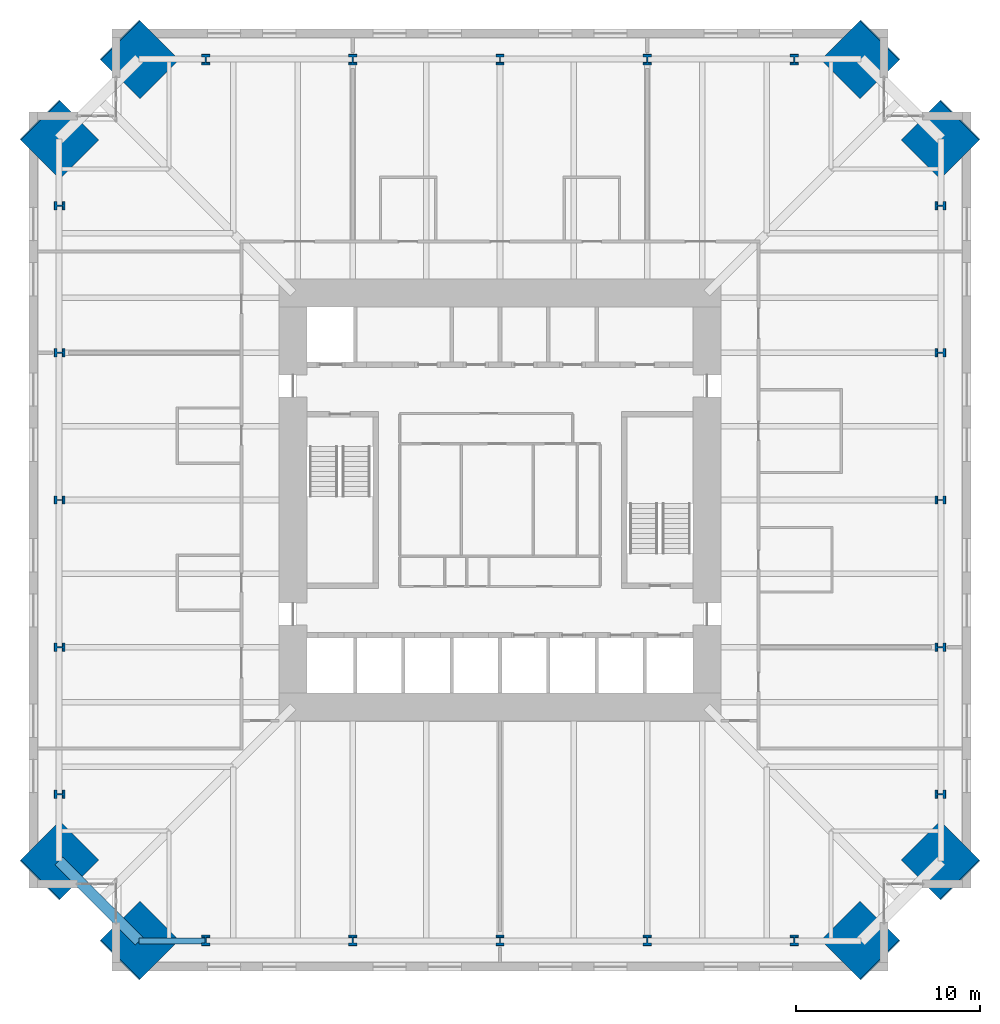
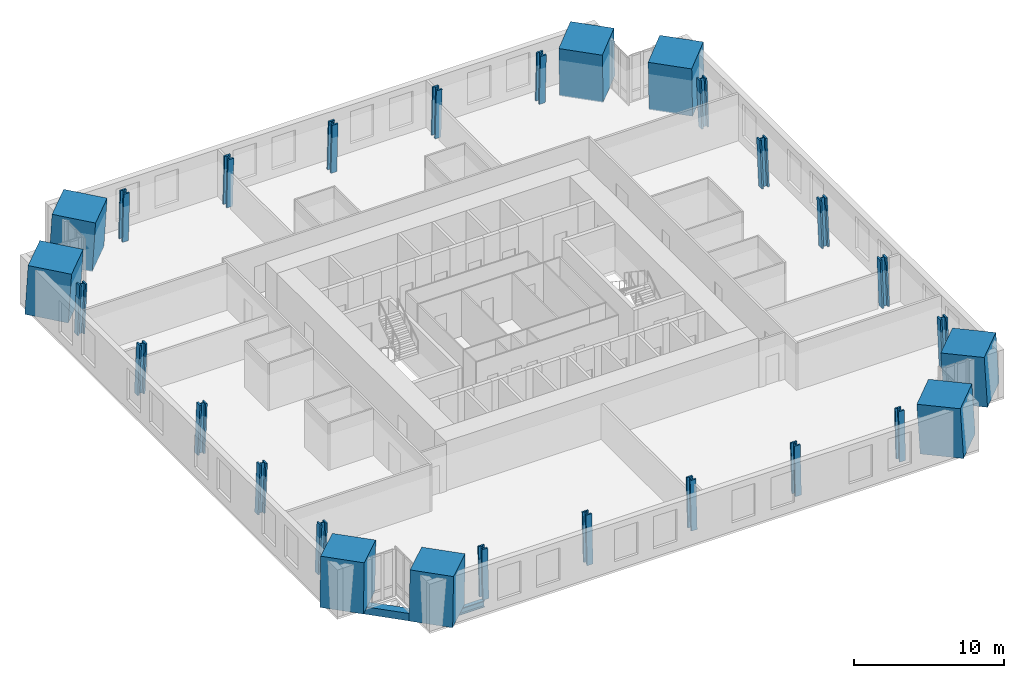
# One storey, part 1 of 18: 28 columns, 2 beams.
"""IFC4 building model written with IfcOpenShell, lengths in metres."""

from ifc_helpers import new_model, si_unit, direction, frame, origin, origin_2d, place, context, subcontext, project, spatial, rectangle, hollow_rectangle, i_section, extrude, material, material_profile, profile_set, type_object, element, save


model = new_model("IFC4")

# Units and contexts
model_context = context("Model", 3, precision=1e-05, world=origin(), true_north=direction((0.0, 1.0)))
body_context = subcontext(model_context, "Body", "Model", "MODEL_VIEW")
ifc_project = project(units=[si_unit("LENGTHUNIT", "METRE"), si_unit("AREAUNIT", "SQUARE_METRE"), si_unit("VOLUMEUNIT", "CUBIC_METRE"), si_unit("PLANEANGLEUNIT", "RADIAN"), si_unit("MASSUNIT", "GRAM", prefix="KILO")], contexts=[model_context])

# Site, building, storey
site_placement = place(None, origin())
site = spatial("IfcSite", under=ifc_project, at=site_placement, CompositionType="ELEMENT")
building_placement = place(site_placement, origin())
building = spatial("IfcBuilding", under=site, at=building_placement, Name="Peilmerk Tower", CompositionType="ELEMENT")
storey_placement = place(building_placement, frame((0.0, 0.0, 171.800048828125)))
storey = spatial("IfcBuildingStorey", under=building, at=storey_placement, Name="L36", CompositionType="ELEMENT", Elevation=171.800048828125)

# Columns
ifc_material_1 = material(Name="Concrete C90/105", Category="concrete")
ifc_material_profile_1 = material_profile(ifc_material_1, rectangle(XDim=3.0, YDim=3.0, at=origin_2d()), Name="RC 3000x3000")
ifc_profile_set_1 = profile_set([ifc_material_profile_1], Name="Concrete C90/105")
column_type_1 = type_object("IfcColumnType", Name="MC2 3000x3000 encased mega column", PredefinedType="COLUMN", material=ifc_profile_set_1)
for number, where, z_axis, x_axis, name in (
    (1, (19.619384765625, 23.96923828125, 0.0), (-0.040278830354, -0.040217894151, 0.998378754189), (0.706571297296, -0.707641859868, 0.0), "Mega column MC2 NE_N L36"),
    (2, (23.96923828125, 19.619384765625, 0.0), (-0.040217894151, -0.040278830354, 0.998378754189), (0.707641859868, -0.706571297296, 0.0), "Mega column MC2 NE_E L36"),
    (3, (23.96923828125, -19.619384765625, 0.0), (-0.040217894151, 0.040278830354, 0.998378754189), (-0.707641859868, -0.706571297296, 0.0), "Mega column MC2 SE_E L36"),
    (4, (19.619384765625, -23.96923828125, 0.0), (-0.040278830354, 0.040217894151, 0.998378754189), (-0.706571297296, -0.707641859868, 0.0), "Mega column MC2 SE_S L36"),
    (5, (-19.619384765625, -23.96923828125, 0.0), (0.040278830354, 0.040217894151, 0.998378754189), (-0.706571297296, 0.707641859868, 0.0), "Mega column MC2 SW_S L36"),
    (6, (-23.96923828125, -19.619384765625, 0.0), (0.040217894151, 0.040278830354, 0.998378754189), (-0.707641859868, 0.706571297296, 0.0), "Mega column MC2 SW_W L36"),
    (7, (-23.96923828125, 19.619384765625, 0.0), (0.040217894151, -0.040278830354, 0.998378754189), (0.707641859868, 0.706571297296, 0.0), "Mega column MC2 NW_W L36"),
    (8, (-19.619384765625, 23.96923828125, 0.0), (0.040278830354, -0.040217894151, 0.998378754189), (0.706571297296, 0.707641859868, 0.0), "Mega column MC2 NW_N L36"),
):
    element("IfcColumn", number, at=place(storey_placement, frame(where, z_axis=z_axis, x_axis=x_axis)), inside=storey, type_object=column_type_1, Name=name, PredefinedType="COLUMN", context=body_context, shape_type="SweptSolid", body=[
        extrude(rectangle(XDim=3.0, YDim=3.0, at=origin_2d()), origin(), (0.0, 0.0, 1.0), 4.006591796875),
    ])
ifc_material_2 = material(Name="Steel S460", Category="steel")
ifc_material_profile_2 = material_profile(ifc_material_2, i_section(OverallWidth=0.4541015625, OverallDepth=0.569091796875, WebThickness=0.077880859375, FlangeThickness=0.125, at=origin_2d()), Name="HD 400x1086")
ifc_profile_set_2 = profile_set([ifc_material_profile_2], Name="Steel S460")
column_type_2 = type_object("IfcColumnType", Name="SC6 HD 400x1086 interior column", PredefinedType="COLUMN", material=ifc_profile_set_2)
for number, where, z_axis, x_axis, name in (
    (9, (0.0, 23.96923828125, 0.0), (0.0, -0.040250558339, 0.999189617917), (1.0, 0.0, 0.0), "Perimeter column N+0 L36"),
    (10, (8.0, 23.96923828125, 0.0), (0.0, -0.040250558339, 0.999189617917), (1.0, 0.0, 0.0), "Perimeter column N-8 L36"),
    (11, (-8.0, 23.96923828125, 0.0), (0.0, -0.040250558339, 0.999189617917), (1.0, 0.0, 0.0), "Perimeter column N+8 L36"),
    (12, (16.0, 23.96923828125, 0.0), (0.0, -0.040250558339, 0.999189617917), (1.0, 0.0, 0.0), "Perimeter column N-16 L36"),
    (13, (-16.0, 23.96923828125, 0.0), (0.0, -0.040250558339, 0.999189617917), (1.0, 0.0, 0.0), "Perimeter column N+16 L36"),
    (14, (23.96923828125, 0.0, 0.0), (-0.040250558339, 0.0, 0.999189617917), (0.0, -1.0, 0.0), "Perimeter column E+0 L36"),
    (15, (23.96923828125, -8.0, 0.0), (-0.040250558339, 0.0, 0.999189617917), (0.0, -1.0, 0.0), "Perimeter column E-8 L36"),
    (16, (23.96923828125, 8.0, 0.0), (-0.040250558339, 0.0, 0.999189617917), (0.0, -1.0, 0.0), "Perimeter column E+8 L36"),
    (17, (23.96923828125, -16.0, 0.0), (-0.040250558339, 0.0, 0.999189617917), (0.0, -1.0, 0.0), "Perimeter column E-16 L36"),
    (18, (23.96923828125, 16.0, 0.0), (-0.040250558339, 0.0, 0.999189617917), (0.0, -1.0, 0.0), "Perimeter column E+16 L36"),
    (19, (0.0, -23.96923828125, 0.0), (0.0, 0.040250558339, 0.999189617917), (-1.0, 0.0, 0.0), "Perimeter column S+0 L36"),
    (20, (-8.0, -23.96923828125, 0.0), (0.0, 0.040250558339, 0.999189617917), (-1.0, 0.0, 0.0), "Perimeter column S-8 L36"),
    (21, (8.0, -23.96923828125, 0.0), (0.0, 0.040250558339, 0.999189617917), (-1.0, 0.0, 0.0), "Perimeter column S+8 L36"),
    (22, (-16.0, -23.96923828125, 0.0), (0.0, 0.040250558339, 0.999189617917), (-1.0, 0.0, 0.0), "Perimeter column S-16 L36"),
    (23, (16.0, -23.96923828125, 0.0), (0.0, 0.040250558339, 0.999189617917), (-1.0, 0.0, 0.0), "Perimeter column S+16 L36"),
    (24, (-23.96923828125, 0.0, 0.0), (0.040250558339, 0.0, 0.999189617917), (0.0, 1.0, 0.0), "Perimeter column W+0 L36"),
    (25, (-23.96923828125, 8.0, 0.0), (0.040250558339, 0.0, 0.999189617917), (0.0, 1.0, 0.0), "Perimeter column W-8 L36"),
    (26, (-23.96923828125, -8.0, 0.0), (0.040250558339, 0.0, 0.999189617917), (0.0, 1.0, 0.0), "Perimeter column W+8 L36"),
    (27, (-23.96923828125, 16.0, 0.0), (0.040250558339, 0.0, 0.999189617917), (0.0, 1.0, 0.0), "Perimeter column W-16 L36"),
    (28, (-23.96923828125, -16.0, 0.0), (0.040250558339, 0.0, 0.999189617917), (0.0, 1.0, 0.0), "Perimeter column W+16 L36"),
):
    element("IfcColumn", number, at=place(storey_placement, frame(where, z_axis=z_axis, x_axis=x_axis)), inside=storey, type_object=column_type_2, Name=name, PredefinedType="COLUMN", context=body_context, shape_type="SweptSolid", body=[
        extrude(i_section(OverallWidth=0.4541015625, OverallDepth=0.569091796875, WebThickness=0.077880859375, FlangeThickness=0.125, at=origin_2d()), origin(), (0.0, 0.0, 1.0), 4.003173828125),
    ])

# Beams
ifc_material_profile_3 = material_profile(ifc_material_2, hollow_rectangle(XDim=0.60009765625, YDim=0.60009765625, WallThickness=0.06005859375, at=origin_2d()), Name="BOX 600x600x60")
ifc_profile_set_3 = profile_set([ifc_material_profile_3], Name="Steel S460")
beam_type_1 = type_object("IfcBeamType", Name="B20 BOX 600x600x60 notch beam", PredefinedType="SPANDREL", material=ifc_profile_set_3)
beam_1_placement = place(storey_placement, frame((-19.619384765625, -23.96923828125, -0.469970703125), z_axis=(-0.707106781187, 0.707106781187, 0.0), x_axis=(-0.707106781187, -0.707106781187, 0.0)))
element("IfcBeam", 29, at=beam_1_placement, inside=storey, type_object=beam_type_1, Name="Notch beam L36", PredefinedType="SPANDREL", context=body_context, shape_type="SweptSolid", body=[
    extrude(hollow_rectangle(XDim=0.60009765625, YDim=0.60009765625, WallThickness=0.06005859375, at=origin_2d()), origin(), (0.0, 0.0, 1.0), 6.151611328125),
])
ifc_material_3 = material(Name="Steel S355", Category="steel")
ifc_material_profile_4 = material_profile(ifc_material_3, i_section(OverallWidth=0.305908203125, OverallDepth=0.52392578125, WebThickness=0.02099609375, FlangeThickness=0.0400390625, at=origin_2d()), Name="HEM 500")
ifc_profile_set_4 = profile_set([ifc_material_profile_4], Name="Steel S355")
beam_type_2 = type_object("IfcBeamType", Name="B33 HEM 500 edge beam", PredefinedType="SPANDREL", material=ifc_profile_set_4)
beam_2_placement = place(storey_placement, frame((-19.619384765625, -23.96923828125, -0.43212890625), z_axis=(1.0, 0.0, 0.0), x_axis=(0.0, 1.0, 0.0)))
element("IfcBeam", 30, at=beam_2_placement, inside=storey, type_object=beam_type_2, Name="Edge beam L36", PredefinedType="SPANDREL", context=body_context, shape_type="SweptSolid", body=[
    extrude(i_section(OverallWidth=0.305908203125, OverallDepth=0.52392578125, WebThickness=0.02099609375, FlangeThickness=0.0400390625, at=origin_2d()), origin(), (0.0, 0.0, 1.0), 3.619384765625),
])

save(model, "model.ifc")
